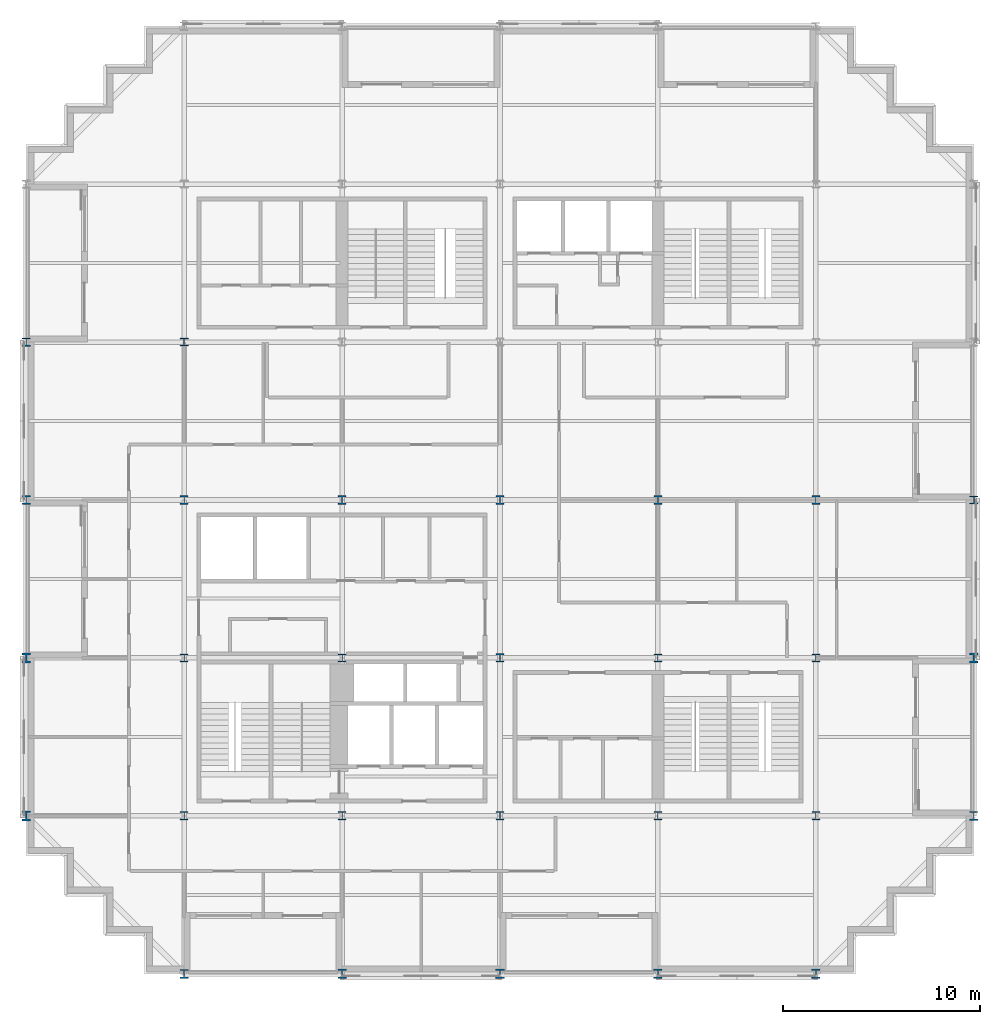
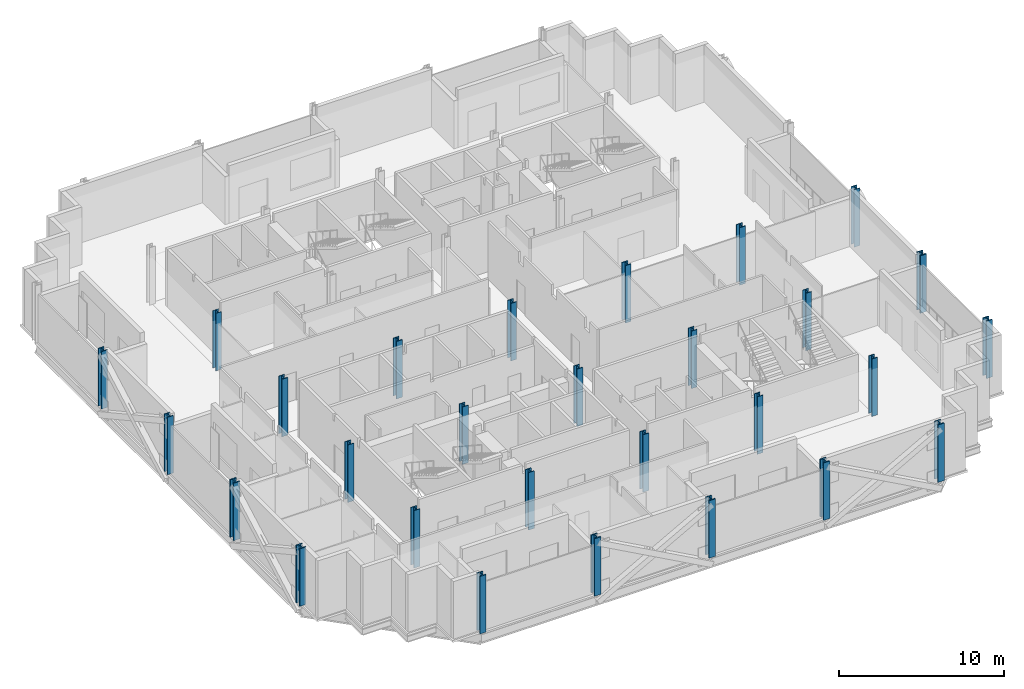
# One storey, part 1 of 13: 28 columns.
"""IFC4 building model written with IfcOpenShell, lengths in metres."""

from ifc_helpers import new_model, si_unit, direction, frame, origin, origin_2d, place, context, subcontext, project, spatial, i_section, extrude, material, material_profile, profile_set, type_object, element, save


model = new_model("IFC4")

# Units and contexts
model_context = context("Model", 3, precision=1e-05, world=origin(), true_north=direction((0.0, 1.0)))
body_context = subcontext(model_context, "Body", "Model", "MODEL_VIEW")
ifc_project = project(units=[si_unit("LENGTHUNIT", "METRE"), si_unit("AREAUNIT", "SQUARE_METRE"), si_unit("VOLUMEUNIT", "CUBIC_METRE"), si_unit("PLANEANGLEUNIT", "RADIAN"), si_unit("MASSUNIT", "GRAM", prefix="KILO")], contexts=[model_context])

# Site, building, storey
site_placement = place(None, origin())
site = spatial("IfcSite", under=ifc_project, at=site_placement, CompositionType="ELEMENT")
building_placement = place(site_placement, origin())
building = spatial("IfcBuilding", under=site, at=building_placement, Name="Immortelle Media Tower", CompositionType="ELEMENT")
storey_placement = place(building_placement, frame((0.0, 0.0, 74.39990234375)))
storey = spatial("IfcBuildingStorey", under=building, at=storey_placement, Name="L13", CompositionType="ELEMENT", Elevation=74.39990234375)

# Columns
ifc_material = material(Name="Steel ASTM A992 Gr 50", Category="steel")
ifc_material_profile_1 = material_profile(ifc_material, i_section(OverallWidth=0.39404296875, OverallDepth=0.3759765625, WebThickness=0.01708984375, FlangeThickness=0.028076171875, at=origin_2d()), Name="W14x145")
ifc_profile_set_1 = profile_set([ifc_material_profile_1], Name="Steel ASTM A992 Gr 50")
column_type_1 = type_object("IfcColumnType", Name="W14x145 column", PredefinedType="COLUMN", material=ifc_profile_set_1)
column_1_placement = place(storey_placement, frame((8.0, 32.0, 0.0), z_axis=(0.0, 0.0, 1.0), x_axis=(1.0, 0.0, 0.0)))
element("IfcColumn", 1, at=column_1_placement, inside=storey, type_object=column_type_1, Name="Column 2/E", PredefinedType="COLUMN", context=body_context, shape_type="SweptSolid", body=[
    extrude(i_section(OverallWidth=0.39404296875, OverallDepth=0.3759765625, WebThickness=0.01708984375, FlangeThickness=0.028076171875, at=origin_2d()), origin(), (0.0, 0.0, 1.0), 4.25),
])
ifc_material_profile_2 = material_profile(ifc_material, i_section(OverallWidth=0.40087890625, OverallDepth=0.39892578125, WebThickness=0.02490234375, FlangeThickness=0.0400390625, at=origin_2d()), Name="W14x211")
ifc_profile_set_2 = profile_set([ifc_material_profile_2], Name="Steel ASTM A992 Gr 50")
column_type_2 = type_object("IfcColumnType", Name="W14x211 column", PredefinedType="COLUMN", material=ifc_profile_set_2)
column_2_placement = place(storey_placement, frame((48.0, 24.0, 0.0), z_axis=(0.0, 0.0, 1.0), x_axis=(1.0, 0.0, 0.0)))
element("IfcColumn", 2, at=column_2_placement, inside=storey, type_object=column_type_2, Name="Column 7/D", PredefinedType="COLUMN", context=body_context, shape_type="SweptSolid", body=[
    extrude(i_section(OverallWidth=0.40087890625, OverallDepth=0.39892578125, WebThickness=0.02490234375, FlangeThickness=0.0400390625, at=origin_2d()), origin(), (0.0, 0.0, 1.0), 4.25),
])
ifc_material_profile_3 = material_profile(ifc_material, i_section(OverallWidth=0.406005859375, OverallDepth=0.4169921875, WebThickness=0.030029296875, FlangeThickness=0.048095703125, at=origin_2d()), Name="W14x257")
ifc_profile_set_3 = profile_set([ifc_material_profile_3], Name="Steel ASTM A992 Gr 50")
column_type_3 = type_object("IfcColumnType", Name="W14x257 column", PredefinedType="COLUMN", material=ifc_profile_set_3)
for number, where, z_axis, x_axis, name in (
    (3, (8.0, 8.0, 0.0), (0.0, 0.0, 1.0), (1.0, 0.0, 0.0), "Column 2/B"),
    (4, (8.0, 16.0, 0.0), (0.0, 0.0, 1.0), (1.0, 0.0, 0.0), "Column 2/C"),
    (5, (16.0, 8.0, 0.0), (0.0, 0.0, 1.0), (1.0, 0.0, 0.0), "Column 3/B"),
    (6, (16.0, 16.0, 0.0), (0.0, 0.0, 1.0), (1.0, 0.0, 0.0), "Column 3/C"),
    (7, (32.0, 8.0, 0.0), (0.0, 0.0, 1.0), (1.0, 0.0, 0.0), "Column 5/B"),
    (8, (32.0, 16.0, 0.0), (0.0, 0.0, 1.0), (1.0, 0.0, 0.0), "Column 5/C"),
    (9, (40.0, 8.0, 0.0), (0.0, 0.0, 1.0), (1.0, 0.0, 0.0), "Column 6/B"),
    (10, (40.0, 16.0, 0.0), (0.0, 0.0, 1.0), (1.0, 0.0, 0.0), "Column 6/C"),
):
    element("IfcColumn", number, at=place(storey_placement, frame(where, z_axis=z_axis, x_axis=x_axis)), inside=storey, type_object=column_type_3, Name=name, PredefinedType="COLUMN", context=body_context, shape_type="SweptSolid", body=[
        extrude(i_section(OverallWidth=0.406005859375, OverallDepth=0.4169921875, WebThickness=0.030029296875, FlangeThickness=0.048095703125, at=origin_2d()), origin(), (0.0, 0.0, 1.0), 4.25),
    ])
ifc_material_profile_4 = material_profile(ifc_material, i_section(OverallWidth=0.410888671875, OverallDepth=0.43408203125, WebThickness=0.035888671875, FlangeThickness=0.056884765625, at=origin_2d()), Name="W14x311")
ifc_profile_set_4 = profile_set([ifc_material_profile_4], Name="Steel ASTM A992 Gr 50")
column_type_4 = type_object("IfcColumnType", Name="W14x311 column", PredefinedType="COLUMN", material=ifc_profile_set_4)
for number, where, z_axis, x_axis, name in (
    (11, (0.0, 24.0, 0.0), (0.0, 0.0, 1.0), (1.0, 0.0, 0.0), "Column 1/D"),
    (12, (0.0, 32.0, 0.0), (0.0, 0.0, 1.0), (1.0, 0.0, 0.0), "Column 1/E"),
    (13, (8.0, 24.0, 0.0), (0.0, 0.0, 1.0), (1.0, 0.0, 0.0), "Column 2/D"),
    (14, (16.0, 24.0, 0.0), (0.0, 0.0, 1.0), (1.0, 0.0, 0.0), "Column 3/D"),
    (15, (24.0, 8.0, 0.0), (0.0, 0.0, 1.0), (1.0, 0.0, 0.0), "Column 4/B"),
    (16, (24.0, 16.0, 0.0), (0.0, 0.0, 1.0), (1.0, 0.0, 0.0), "Column 4/C"),
    (17, (24.0, 24.0, 0.0), (0.0, 0.0, 1.0), (1.0, 0.0, 0.0), "Column 4/D"),
    (18, (32.0, 24.0, 0.0), (0.0, 0.0, 1.0), (1.0, 0.0, 0.0), "Column 5/D"),
    (19, (40.0, 24.0, 0.0), (0.0, 0.0, 1.0), (1.0, 0.0, 0.0), "Column 6/D"),
):
    element("IfcColumn", number, at=place(storey_placement, frame(where, z_axis=z_axis, x_axis=x_axis)), inside=storey, type_object=column_type_4, Name=name, PredefinedType="COLUMN", context=body_context, shape_type="SweptSolid", body=[
        extrude(i_section(OverallWidth=0.410888671875, OverallDepth=0.43408203125, WebThickness=0.035888671875, FlangeThickness=0.056884765625, at=origin_2d()), origin(), (0.0, 0.0, 1.0), 4.25),
    ])
ifc_material_profile_5 = material_profile(ifc_material, i_section(OverallWidth=0.4189453125, OverallDepth=0.455078125, WebThickness=0.0419921875, FlangeThickness=0.068115234375, at=origin_2d()), Name="W14x370")
ifc_profile_set_5 = profile_set([ifc_material_profile_5], Name="Steel ASTM A992 Gr 50")
column_type_5 = type_object("IfcColumnType", Name="W14x370 column", PredefinedType="COLUMN", material=ifc_profile_set_5)
for number, where, z_axis, x_axis, name in (
    (20, (8.0, 0.0, 0.0), (0.0, 0.0, 1.0), (1.0, 0.0, 0.0), "Column 2/A"),
    (21, (48.0, 8.0, 0.0), (0.0, 0.0, 1.0), (1.0, 0.0, 0.0), "Column 7/B"),
):
    element("IfcColumn", number, at=place(storey_placement, frame(where, z_axis=z_axis, x_axis=x_axis)), inside=storey, type_object=column_type_5, Name=name, PredefinedType="COLUMN", context=body_context, shape_type="SweptSolid", body=[
        extrude(i_section(OverallWidth=0.4189453125, OverallDepth=0.455078125, WebThickness=0.0419921875, FlangeThickness=0.068115234375, at=origin_2d()), origin(), (0.0, 0.0, 1.0), 4.25),
    ])
ifc_material_profile_6 = material_profile(ifc_material, i_section(OverallWidth=0.431884765625, OverallDepth=0.498046875, WebThickness=0.055908203125, FlangeThickness=0.089111328125, at=origin_2d()), Name="W14x500")
ifc_profile_set_6 = profile_set([ifc_material_profile_6], Name="Steel ASTM A992 Gr 50")
column_type_6 = type_object("IfcColumnType", Name="W14x500 column", PredefinedType="COLUMN", material=ifc_profile_set_6)
for number, where, z_axis, x_axis, name in (
    (22, (0.0, 8.0, 0.0), (0.0, 0.0, 1.0), (1.0, 0.0, 0.0), "Column 1/B"),
    (23, (0.0, 16.0, 0.0), (0.0, 0.0, 1.0), (1.0, 0.0, 0.0), "Column 1/C"),
    (24, (16.0, 0.0, 0.0), (0.0, 0.0, 1.0), (1.0, 0.0, 0.0), "Column 3/A"),
    (25, (24.0, 0.0, 0.0), (0.0, 0.0, 1.0), (1.0, 0.0, 0.0), "Column 4/A"),
    (26, (32.0, 0.0, 0.0), (0.0, 0.0, 1.0), (1.0, 0.0, 0.0), "Column 5/A"),
    (27, (40.0, 0.0, 0.0), (0.0, 0.0, 1.0), (1.0, 0.0, 0.0), "Column 6/A"),
    (28, (48.0, 16.0, 0.0), (0.0, 0.0, 1.0), (1.0, 0.0, 0.0), "Column 7/C"),
):
    element("IfcColumn", number, at=place(storey_placement, frame(where, z_axis=z_axis, x_axis=x_axis)), inside=storey, type_object=column_type_6, Name=name, PredefinedType="COLUMN", context=body_context, shape_type="SweptSolid", body=[
        extrude(i_section(OverallWidth=0.431884765625, OverallDepth=0.498046875, WebThickness=0.055908203125, FlangeThickness=0.089111328125, at=origin_2d()), origin(), (0.0, 0.0, 1.0), 4.25),
    ])

save(model, "model.ifc")
